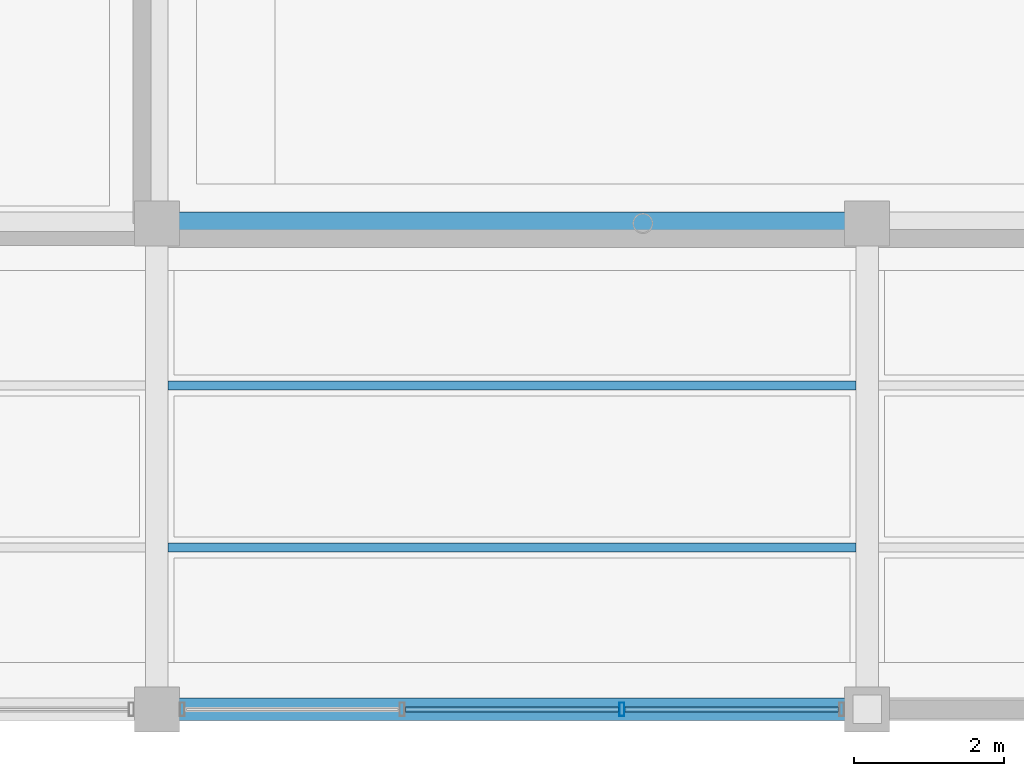
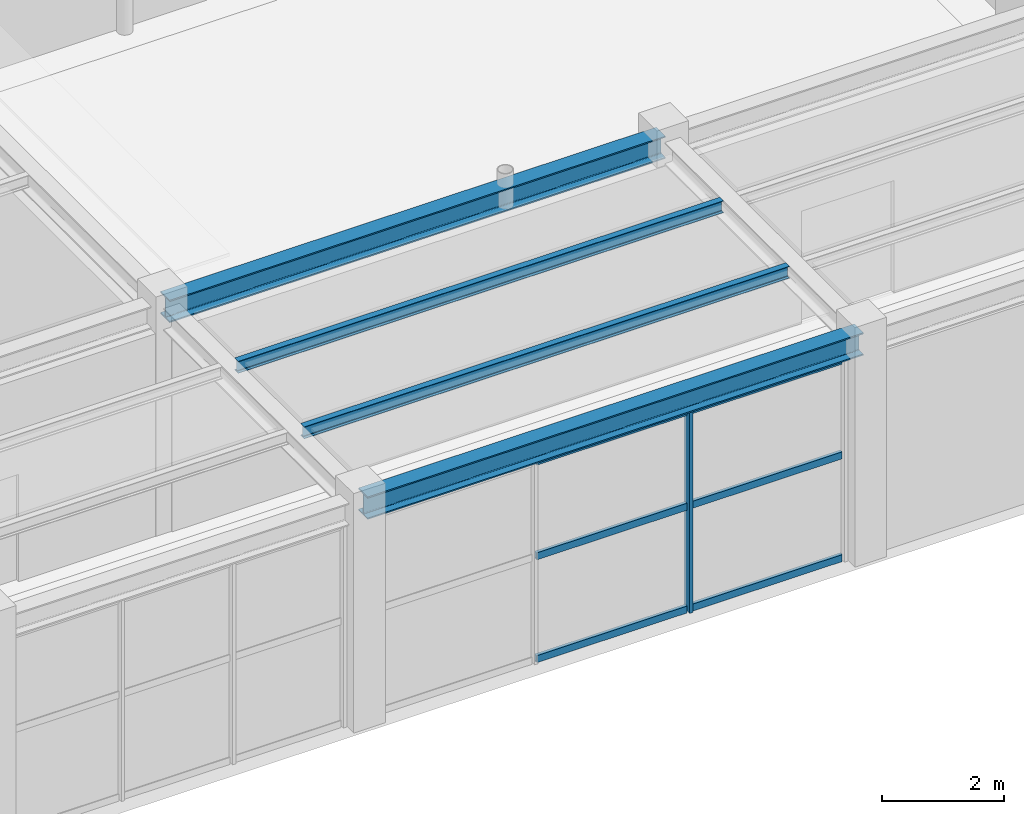
# One storey, part 20 of 108: 7 members, 4 beams, 1 element without a shape of its own.
"""IFC4 building model written with IfcOpenShell, lengths in metres."""

from ifc_helpers import new_model, si_unit, direction, frame, origin, origin_2d, place, context, subcontext, project, spatial, hollow_rectangle, i_section, extrude, material, material_profile, profile_set, type_object, element, aggregate, save


model = new_model("IFC4")

# Units and contexts
model_context = context("Model", 3, precision=1e-05, world=origin(), true_north=direction((0.0, 1.0)))
body_context = subcontext(model_context, "Body", "Model", "MODEL_VIEW")
ifc_project = project(units=[si_unit("LENGTHUNIT", "METRE"), si_unit("AREAUNIT", "SQUARE_METRE"), si_unit("VOLUMEUNIT", "CUBIC_METRE"), si_unit("PLANEANGLEUNIT", "RADIAN"), si_unit("MASSUNIT", "GRAM", prefix="KILO")], contexts=[model_context])

# Site, building, storey
site_placement = place(None, origin())
site = spatial("IfcSite", under=ifc_project, at=site_placement, CompositionType="ELEMENT")
building_placement = place(site_placement, origin())
building = spatial("IfcBuilding", under=site, at=building_placement, Name="Tarnveldt Headland Concert Hall", CompositionType="ELEMENT")
storey_placement = place(building_placement, origin())
storey = spatial("IfcBuildingStorey", under=building, at=storey_placement, Name="L00", CompositionType="ELEMENT", Elevation=0.0)

# Curtain wall, member
ifc_material_1 = material(Name="Marine-anodised aluminium EN AW-6063-T6", Category="aluminium")
curtain_wall_type = type_object("IfcCurtainWallType", Name="CW-L1", PredefinedType="NOTDEFINED", material=ifc_material_1)
curtain_wall_placement = place(storey_placement, origin())
curtain_wall = element("IfcCurtainWall", 1, at=curtain_wall_placement, inside=storey, type_object=curtain_wall_type, Name="Curtain wall CW-L00-164", PredefinedType="NOTDEFINED")
ifc_material_profile_1 = material_profile(ifc_material_1, hollow_rectangle(XDim=0.06494140625, YDim=0.179931640625, WallThickness=0.00390625, at=origin_2d()), Name="ALU MULLION 65x180x4", Category="aluminium")
ifc_profile_set_1 = profile_set([ifc_material_profile_1], Name="Marine-anodised aluminium EN AW-6063-T6")
member_type_1 = type_object("IfcMemberType", Name="ML-180", PredefinedType="MULLION", material=ifc_profile_set_1)
member_1_placement = place(storey_placement, frame((20.719970703125, 5.0, 0.0), z_axis=(0.0, 0.0, 1.0), x_axis=(1.0, 0.0, 0.0)))
member_1 = element("IfcMember", 2, at=member_1_placement, type_object=member_type_1, Name="Mullion CW-L00-164-3", PredefinedType="MULLION", context=body_context, shape_type="SweptSolid", body=[
    extrude(hollow_rectangle(XDim=0.06494140625, YDim=0.179931640625, WallThickness=0.00390625, at=origin_2d()), origin(), (0.0, 0.0, 1.0), 4.05810546875),
])

# Beams
ifc_material_2 = material(Name="Steel S355", Category="steel")
ifc_material_profile_2 = material_profile(ifc_material_2, i_section(OverallWidth=0.300048828125, OverallDepth=0.449951171875, WebThickness=0.013916015625, FlangeThickness=0.02587890625, FilletRadius=0.027099609375, at=origin_2d()), Name="HEB450", Category="steel")
ifc_profile_set_2 = profile_set([ifc_material_profile_2], Name="Steel S355")
beam_type_1 = type_object("IfcBeamType", Name="SB-HEB450", PredefinedType="BEAM", material=ifc_profile_set_2)
for number, where, z_axis, x_axis, name in (
    (3, (14.550048828125, 5.0, 4.294921875), (1.0, 0.0, 0.0), (0.0, 1.0, 0.0), "Framing beam L00-553"),
    (4, (14.550048828125, 11.5, 4.294921875), (1.0, 0.0, 0.0), (0.0, 1.0, 0.0), "Framing beam L00-558"),
):
    element("IfcBeam", number, at=place(storey_placement, frame(where, z_axis=z_axis, x_axis=x_axis)), inside=storey, type_object=beam_type_1, Name=name, PredefinedType="BEAM", context=body_context, shape_type="SweptSolid", body=[
        extrude(i_section(OverallWidth=0.300048828125, OverallDepth=0.449951171875, WebThickness=0.013916015625, FlangeThickness=0.02587890625, FilletRadius=0.027099609375, at=origin_2d()), origin(), (0.0, 0.0, 1.0), 9.39990234375),
    ])
ifc_material_profile_3 = material_profile(ifc_material_2, i_section(OverallWidth=0.1201171875, OverallDepth=0.239990234375, WebThickness=0.006103515625, FlangeThickness=0.009765625, FilletRadius=0.014892578125, at=origin_2d()), Name="IPE240", Category="steel")
ifc_profile_set_3 = profile_set([ifc_material_profile_3], Name="Steel S355")
beam_type_2 = type_object("IfcBeamType", Name="SB-IPE240", PredefinedType="JOIST", material=ifc_profile_set_3)
for number, where, z_axis, x_axis, name in (
    (5, (14.64990234375, 7.1669921875, 4.39990234375), (1.0, 0.0, 0.0), (0.0, 1.0, 0.0), "Framing beam L00-579"),
    (6, (14.64990234375, 9.3330078125, 4.39990234375), (1.0, 0.0, 0.0), (0.0, 1.0, 0.0), "Framing beam L00-580"),
):
    element("IfcBeam", number, at=place(storey_placement, frame(where, z_axis=z_axis, x_axis=x_axis)), inside=storey, type_object=beam_type_2, Name=name, PredefinedType="JOIST", context=body_context, shape_type="SweptSolid", body=[
        extrude(i_section(OverallWidth=0.1201171875, OverallDepth=0.239990234375, WebThickness=0.006103515625, FlangeThickness=0.009765625, FilletRadius=0.014892578125, at=origin_2d()), origin(), (0.0, 0.0, 1.0), 9.2001953125),
    ])

# Member
ifc_material_profile_4 = material_profile(ifc_material_1, hollow_rectangle(XDim=0.06494140625, YDim=0.139892578125, WallThickness=0.00390625, at=origin_2d()), Name="ALU TRANSOM 65x140x4", Category="aluminium")
ifc_profile_set_4 = profile_set([ifc_material_profile_4], Name="Marine-anodised aluminium EN AW-6063-T6")
member_type_2 = type_object("IfcMemberType", Name="TR-140", PredefinedType="MEMBER", material=ifc_profile_set_4)
member_2_placement = place(storey_placement, frame((17.824462890625, 5.0, 0.050048828125), z_axis=(1.0, 0.0, 0.0), x_axis=(0.0, 1.0, 0.0)))
member_2 = element("IfcMember", 7, at=member_2_placement, type_object=member_type_2, Name="Transom CW-L00-164-2-1", PredefinedType="MEMBER", context=body_context, shape_type="SweptSolid", body=[
    extrude(hollow_rectangle(XDim=0.06494140625, YDim=0.139892578125, WallThickness=0.00390625, at=origin_2d()), origin(), (0.0, 0.0, 1.0), 2.85107421875),
])

member_3_placement = place(storey_placement, frame((17.824462890625, 5.0, 2.110107421875), z_axis=(1.0, 0.0, 0.0), x_axis=(0.0, 1.0, 0.0)))
member_3 = element("IfcMember", 8, at=member_3_placement, type_object=member_type_2, Name="Transom CW-L00-164-2-2", PredefinedType="MEMBER", context=body_context, shape_type="SweptSolid", body=[
    extrude(hollow_rectangle(XDim=0.06494140625, YDim=0.139892578125, WallThickness=0.00390625, at=origin_2d()), origin(), (0.0, 0.0, 1.0), 2.85107421875),
])

member_4_placement = place(storey_placement, frame((17.824462890625, 5.0, 4.008056640625), z_axis=(1.0, 0.0, 0.0), x_axis=(0.0, 1.0, 0.0)))
member_4 = element("IfcMember", 9, at=member_4_placement, type_object=member_type_2, Name="Transom CW-L00-164-2-3", PredefinedType="MEMBER", context=body_context, shape_type="SweptSolid", body=[
    extrude(hollow_rectangle(XDim=0.06494140625, YDim=0.139892578125, WallThickness=0.00390625, at=origin_2d()), origin(), (0.0, 0.0, 1.0), 2.85107421875),
])

member_5_placement = place(storey_placement, frame((20.764404296875, 5.0, 0.050048828125), z_axis=(1.0, 0.0, 0.0), x_axis=(0.0, 1.0, 0.0)))
member_5 = element("IfcMember", 10, at=member_5_placement, type_object=member_type_2, Name="Transom CW-L00-164-3-1", PredefinedType="MEMBER", context=body_context, shape_type="SweptSolid", body=[
    extrude(hollow_rectangle(XDim=0.06494140625, YDim=0.139892578125, WallThickness=0.00390625, at=origin_2d()), origin(), (0.0, 0.0, 1.0), 2.85107421875),
])

member_6_placement = place(storey_placement, frame((20.764404296875, 5.0, 2.110107421875), z_axis=(1.0, 0.0, 0.0), x_axis=(0.0, 1.0, 0.0)))
member_6 = element("IfcMember", 11, at=member_6_placement, type_object=member_type_2, Name="Transom CW-L00-164-3-2", PredefinedType="MEMBER", context=body_context, shape_type="SweptSolid", body=[
    extrude(hollow_rectangle(XDim=0.06494140625, YDim=0.139892578125, WallThickness=0.00390625, at=origin_2d()), origin(), (0.0, 0.0, 1.0), 2.85107421875),
])

member_7_placement = place(storey_placement, frame((20.764404296875, 5.0, 4.008056640625), z_axis=(1.0, 0.0, 0.0), x_axis=(0.0, 1.0, 0.0)))
member_7 = element("IfcMember", 12, at=member_7_placement, type_object=member_type_2, Name="Transom CW-L00-164-3-3", PredefinedType="MEMBER", context=body_context, shape_type="SweptSolid", body=[
    extrude(hollow_rectangle(XDim=0.06494140625, YDim=0.139892578125, WallThickness=0.00390625, at=origin_2d()), origin(), (0.0, 0.0, 1.0), 2.85107421875),
])

aggregate(curtain_wall, [member_1, member_2, member_3, member_4, member_5, member_6, member_7])

save(model, "model.ifc")
